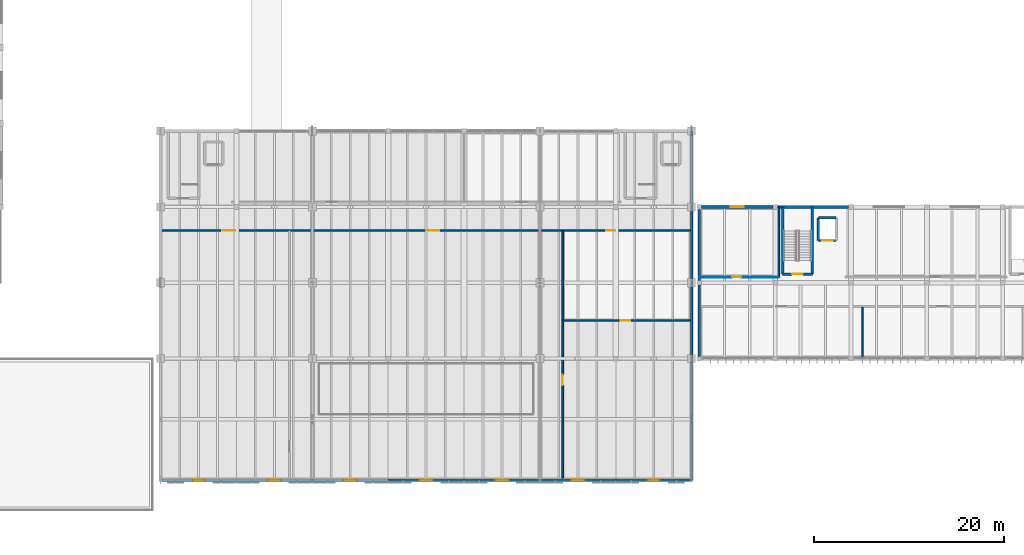
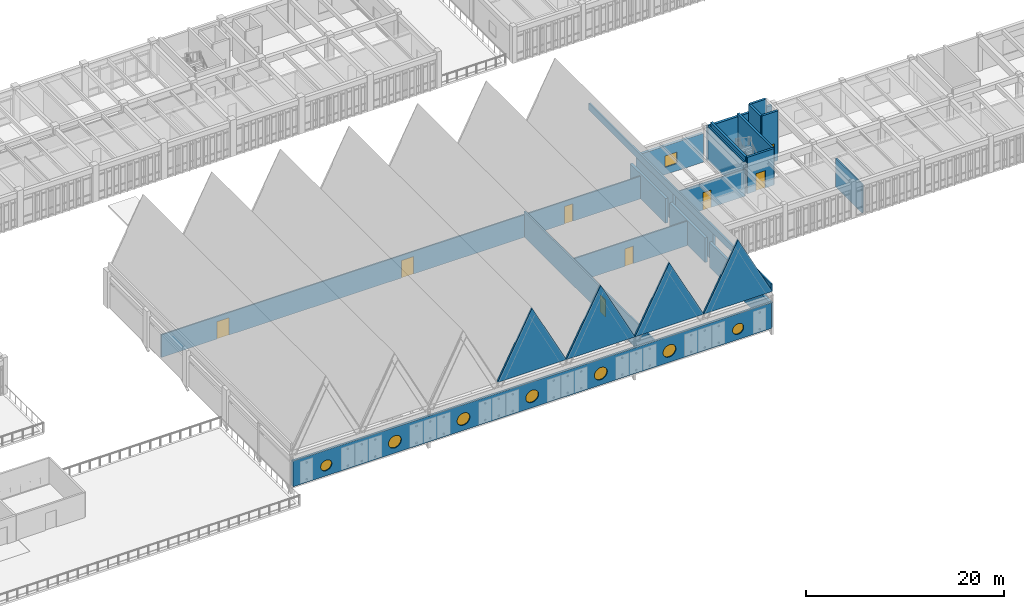
# One storey, part 50 of 72: 25 walls, 8 doors, 8 windows, 16 openings.
"""IFC4 building model written with IfcOpenShell, lengths in metres."""

from ifc_helpers import new_model, si_unit, direction, frame, frame_2d, origin, place, context, subcontext, project, spatial, polyline, rectangle, circle, outline, extrude, material, layer, layer_set, type_object, element, fill, save


model = new_model("IFC4")

# Units and contexts
model_context = context("Model", 3, precision=1e-05, world=origin(), true_north=direction((0.0, 1.0)))
body_context = subcontext(model_context, "Body", "Model", "MODEL_VIEW")
ifc_project = project(units=[si_unit("LENGTHUNIT", "METRE"), si_unit("AREAUNIT", "SQUARE_METRE"), si_unit("VOLUMEUNIT", "CUBIC_METRE"), si_unit("PLANEANGLEUNIT", "RADIAN"), si_unit("MASSUNIT", "GRAM", prefix="KILO")], contexts=[model_context])

# Site, building, storey
site_placement = place(None, origin())
site = spatial("IfcSite", under=ifc_project, at=site_placement, CompositionType="ELEMENT")
building_placement = place(site_placement, origin())
building = spatial("IfcBuilding", under=site, at=building_placement, Name="Tlaxcora Railside Police Headquarters", CompositionType="ELEMENT")
storey_placement = place(building_placement, frame((0.0, 0.0, 13.5)))
storey = spatial("IfcBuildingStorey", under=building, at=storey_placement, Name="L03", CompositionType="ELEMENT", Elevation=13.5)

# Wall, opening, door
ifc_material_1 = material(Name="Gypsum acoustic partition board")
ifc_layer_1 = layer(ifc_material_1, 0.175048828125, Name="Gypsum acoustic partition board")
ifc_layer_set_1 = layer_set([ifc_layer_1], Name="Gypsum acoustic partition board")
wall_type_1 = type_object("IfcWallType", Name="Interior Partition Wall IW-22", PredefinedType="PARTITIONING", material=ifc_layer_set_1)
wall_1_placement = place(storey_placement, frame((88.39990234375, 23.199951171875, 0.0), z_axis=(0.0, 0.0, 1.0), x_axis=(0.0, 1.0, 0.0)))
wall_1 = element("IfcWall", 1, at=wall_1_placement, inside=storey, type_object=wall_type_1, Name="V2 L03 interior partition 172", PredefinedType="PARTITIONING", context=body_context, shape_type="SweptSolid", body=[
    extrude(rectangle(XDim=26.300048828125, YDim=0.175048828125, at=frame_2d((13.14990234375, 0.0))), origin(), (0.0, 0.0, 1.0), 3.159912109375),
])
opening_1_placement = place(wall_1_placement, frame((10.0, 0.0, 0.0)))
opening_1 = element("IfcOpeningElement", 2, at=opening_1_placement, cuts=wall_1, Name="Opening D-L03-201", PredefinedType="OPENING", context=body_context, shape_type="SweptSolid", body=[
    extrude(rectangle(XDim=1.10009765625, YDim=2.10009765625, at=frame_2d((0.550048828125, 1.050048828125))), frame((0.0, 0.09765625, 0.0), z_axis=(0.0, -1.0, 0.0), x_axis=(1.0, 0.0, 0.0)), (0.0, 0.0, 1.0), 0.195068359375),
])
ifc_material_2 = material(Name="Steel ASTM A992 Grade 50", Category="steel")
door_type_1 = type_object("IfcDoorType", Name="Swing or Sliding Personnel Door ID-66", OperationType="NOTDEFINED", PredefinedType="DOOR", material=ifc_material_2)
door_1_placement = place(opening_1_placement, origin())
door_1 = element("IfcDoor", 3, at=door_1_placement, inside=storey, type_object=door_type_1, Name="V2 L03 door D-L03-201", OperationType="SINGLE_SWING_RIGHT", OverallHeight=2.10009765625, OverallWidth=1.10009765625, PredefinedType="DOOR", context=body_context, shape_type="SweptSolid", body=[
    extrude(rectangle(XDim=1.10009765625, YDim=2.10009765625, at=frame_2d((0.550048828125, 1.050048828125))), frame((0.0, 0.02490234375, 0.0), z_axis=(0.0, -1.0, 0.0), x_axis=(1.0, 0.0, 0.0)), (0.0, 0.0, 1.0), 0.050048828125),
])
fill(opening_1, door_1)

# Wall
ifc_layer_2 = layer(ifc_material_1, 0.16796875, Name="Gypsum acoustic partition board")
ifc_layer_set_2 = layer_set([ifc_layer_2], Name="Gypsum acoustic partition board")
wall_type_2 = type_object("IfcWallType", Name="Interior Partition Wall IW-31", PredefinedType="PARTITIONING", material=ifc_layer_set_2)
wall_2_placement = place(storey_placement, frame((111.199951171875, 44.60009765625, 0.0), z_axis=(0.0, 0.0, 1.0), x_axis=(0.0, 1.0, 0.0)))
element("IfcWall", 4, at=wall_2_placement, inside=storey, type_object=wall_type_2, Name="V7 L03 interior partition 181", PredefinedType="PARTITIONING", context=body_context, shape_type="SweptSolid", body=[
    extrude(rectangle(XDim=7.39990234375, YDim=0.16796875, at=frame_2d((3.699951171875, 0.0))), origin(), (0.0, 0.0, 1.0), 4.18994140625),
])

# Wall, opening, door
ifc_layer_3 = layer(ifc_material_1, 0.10009765625, Name="Gypsum acoustic partition board")
ifc_layer_set_3 = layer_set([ifc_layer_3], Name="Gypsum acoustic partition board")
wall_type_3 = type_object("IfcWallType", Name="Interior Partition Wall IW-45", PredefinedType="PARTITIONING", material=ifc_layer_set_3)
wall_3_placement = place(storey_placement, frame((102.800048828125, 44.60009765625, 0.0), z_axis=(0.0, 0.0, 1.0), x_axis=(1.0, 0.0, 0.0)))
wall_3 = element("IfcWall", 5, at=wall_3_placement, inside=storey, type_object=wall_type_3, Name="V7 L03 interior partition 180", PredefinedType="PARTITIONING", context=body_context, shape_type="SweptSolid", body=[
    extrude(rectangle(XDim=8.39990234375, YDim=0.10009765625, at=frame_2d((4.199951171875, 0.0))), origin(), (0.0, 0.0, 1.0), 3.324951171875),
])
opening_2_placement = place(wall_3_placement, frame((3.5, 0.0, 0.0)))
opening_2 = element("IfcOpeningElement", 6, at=opening_2_placement, cuts=wall_3, Name="Opening D-L03-211", PredefinedType="OPENING", context=body_context, shape_type="SweptSolid", body=[
    extrude(rectangle(XDim=0.949951171875, YDim=2.14990234375, at=frame_2d((0.47509765625, 1.074951171875))), frame((0.0, 0.06005859375, 0.0), z_axis=(0.0, -1.0, 0.0), x_axis=(1.0, 0.0, 0.0)), (0.0, 0.0, 1.0), 0.1201171875),
])
door_type_2 = type_object("IfcDoorType", Name="Swing or Sliding Personnel Door ID-31", OperationType="NOTDEFINED", PredefinedType="DOOR", material=ifc_material_2)
door_2_placement = place(opening_2_placement, origin())
door_2 = element("IfcDoor", 7, at=door_2_placement, inside=storey, type_object=door_type_2, Name="V7 L03 door D-L03-211", OperationType="SINGLE_SWING_RIGHT", OverallHeight=2.14990234375, OverallWidth=0.949951171875, PredefinedType="DOOR", context=body_context, shape_type="SweptSolid", body=[
    extrude(rectangle(XDim=0.949951171875, YDim=2.14990234375, at=frame_2d((0.47509765625, 1.074951171875))), frame((0.0, 0.02490234375, 0.0), z_axis=(0.0, -1.0, 0.0), x_axis=(1.0, 0.0, 0.0)), (0.0, 0.0, 1.0), 0.050048828125),
])
fill(opening_2, door_2)

ifc_layer_4 = layer(ifc_material_1, 0.159912109375, Name="Gypsum acoustic partition board")
ifc_layer_set_4 = layer_set([ifc_layer_4], Name="Gypsum acoustic partition board")
wall_type_4 = type_object("IfcWallType", Name="Interior Partition Wall IW-73", PredefinedType="PARTITIONING", material=ifc_layer_set_4)
wall_4_placement = place(storey_placement, frame((88.39990234375, 40.0, 0.0), z_axis=(0.0, 0.0, 1.0), x_axis=(1.0, 0.0, 0.0)))
wall_4 = element("IfcWall", 8, at=wall_4_placement, inside=storey, type_object=wall_type_4, Name="V2 L03 interior partition 173", PredefinedType="PARTITIONING", context=body_context, shape_type="SweptSolid", body=[
    extrude(rectangle(XDim=13.60009765625, YDim=0.159912109375, at=frame_2d((6.800048828125, 0.0))), origin(), (0.0, 0.0, 1.0), 3.02490234375),
])
opening_3_placement = place(wall_4_placement, frame((6.1201171875, 0.0, 0.0)))
opening_3 = element("IfcOpeningElement", 9, at=opening_3_placement, cuts=wall_4, Name="Opening D-L03-202", PredefinedType="OPENING", context=body_context, shape_type="SweptSolid", body=[
    extrude(rectangle(XDim=1.0, YDim=2.14990234375, at=frame_2d((0.5, 1.074951171875))), frame((0.0, 0.08984375, 0.0), z_axis=(0.0, -1.0, 0.0), x_axis=(1.0, 0.0, 0.0)), (0.0, 0.0, 1.0), 0.179931640625),
])
door_type_3 = type_object("IfcDoorType", Name="Swing or Sliding Personnel Door ID-55", OperationType="NOTDEFINED", PredefinedType="DOOR", material=ifc_material_2)
door_3_placement = place(opening_3_placement, origin())
door_3 = element("IfcDoor", 10, at=door_3_placement, inside=storey, type_object=door_type_3, Name="V2 L03 door D-L03-202", OperationType="SINGLE_SWING_LEFT", OverallHeight=2.14990234375, OverallWidth=1.0, PredefinedType="DOOR", context=body_context, shape_type="SweptSolid", body=[
    extrude(rectangle(XDim=1.0, YDim=2.14990234375, at=frame_2d((0.5, 1.074951171875))), frame((0.0, 0.02490234375, 0.0), z_axis=(0.0, -1.0, 0.0), x_axis=(1.0, 0.0, 0.0)), (0.0, 0.0, 1.0), 0.050048828125),
])
fill(opening_3, door_3)

# Wall, openings, doors
wall_5_placement = place(storey_placement, frame((46.0, 49.5, 0.0), z_axis=(0.0, 0.0, 1.0), x_axis=(1.0, 0.0, 0.0)))
wall_5 = element("IfcWall", 11, at=wall_5_placement, inside=storey, type_object=wall_type_4, Name="V2 L03 interior partition 174", PredefinedType="PARTITIONING", context=body_context, shape_type="SweptSolid", body=[
    extrude(rectangle(XDim=56.0, YDim=0.159912109375, at=frame_2d((28.0, 0.0))), origin(), (0.0, 0.0, 1.0), 2.784912109375),
])
opening_4_placement = place(wall_5_placement, frame((6.5, 0.0, 0.0)))
opening_4 = element("IfcOpeningElement", 12, at=opening_4_placement, cuts=wall_5, Name="Opening D-L03-203", PredefinedType="OPENING", context=body_context, shape_type="SweptSolid", body=[
    extrude(rectangle(XDim=1.39990234375, YDim=2.14990234375, at=frame_2d((0.699951171875, 1.074951171875))), frame((0.0, 0.08984375, 0.0), z_axis=(0.0, -1.0, 0.0), x_axis=(1.0, 0.0, 0.0)), (0.0, 0.0, 1.0), 0.179931640625),
])
opening_5_placement = place(wall_5_placement, frame((28.0, 0.0, 0.0)))
opening_5 = element("IfcOpeningElement", 13, at=opening_5_placement, cuts=wall_5, Name="Opening D-L03-204", PredefinedType="OPENING", context=body_context, shape_type="SweptSolid", body=[
    extrude(rectangle(XDim=1.39990234375, YDim=2.14990234375, at=frame_2d((0.699951171875, 1.074951171875))), frame((0.0, 0.08984375, 0.0), z_axis=(0.0, -1.0, 0.0), x_axis=(1.0, 0.0, 0.0)), (0.0, 0.0, 1.0), 0.179931640625),
])
opening_6_placement = place(wall_5_placement, frame((47.0, 0.0, 0.0)))
opening_6 = element("IfcOpeningElement", 14, at=opening_6_placement, cuts=wall_5, Name="Opening D-L03-205", PredefinedType="OPENING", context=body_context, shape_type="SweptSolid", body=[
    extrude(rectangle(XDim=0.949951171875, YDim=2.14990234375, at=frame_2d((0.47509765625, 1.074951171875))), frame((0.0, 0.08984375, 0.0), z_axis=(0.0, -1.0, 0.0), x_axis=(1.0, 0.0, 0.0)), (0.0, 0.0, 1.0), 0.179931640625),
])
door_4_placement = place(opening_6_placement, origin())
door_4 = element("IfcDoor", 15, at=door_4_placement, inside=storey, type_object=door_type_2, Name="V2 L03 door D-L03-205", OperationType="SINGLE_SWING_RIGHT", OverallHeight=2.14990234375, OverallWidth=0.949951171875, PredefinedType="DOOR", context=body_context, shape_type="SweptSolid", body=[
    extrude(rectangle(XDim=0.949951171875, YDim=2.14990234375, at=frame_2d((0.47509765625, 1.074951171875))), frame((0.0, 0.02490234375, 0.0), z_axis=(0.0, -1.0, 0.0), x_axis=(1.0, 0.0, 0.0)), (0.0, 0.0, 1.0), 0.050048828125),
])
fill(opening_6, door_4)
door_type_4 = type_object("IfcDoorType", Name="Swing or Sliding Personnel Door ID-97", OperationType="NOTDEFINED", PredefinedType="DOOR", material=ifc_material_2)
door_5_placement = place(opening_4_placement, origin())
door_5 = element("IfcDoor", 16, at=door_5_placement, inside=storey, type_object=door_type_4, Name="V2 L03 door D-L03-203", OperationType="DOUBLE_DOOR_SINGLE_SWING", OverallHeight=2.14990234375, OverallWidth=1.39990234375, PredefinedType="DOOR", context=body_context, shape_type="SweptSolid", body=[
    extrude(rectangle(XDim=1.39990234375, YDim=2.14990234375, at=frame_2d((0.699951171875, 1.074951171875))), frame((0.0, 0.02490234375, 0.0), z_axis=(0.0, -1.0, 0.0), x_axis=(1.0, 0.0, 0.0)), (0.0, 0.0, 1.0), 0.050048828125),
])
fill(opening_4, door_5)
door_6_placement = place(opening_5_placement, origin())
door_6 = element("IfcDoor", 17, at=door_6_placement, inside=storey, type_object=door_type_4, Name="V2 L03 door D-L03-204", OperationType="DOUBLE_DOOR_SINGLE_SWING", OverallHeight=2.14990234375, OverallWidth=1.39990234375, PredefinedType="DOOR", context=body_context, shape_type="SweptSolid", body=[
    extrude(rectangle(XDim=1.39990234375, YDim=2.14990234375, at=frame_2d((0.699951171875, 1.074951171875))), frame((0.0, 0.02490234375, 0.0), z_axis=(0.0, -1.0, 0.0), x_axis=(1.0, 0.0, 0.0)), (0.0, 0.0, 1.0), 0.050048828125),
])
fill(opening_5, door_6)

# Walls
wall_6_placement = place(storey_placement, frame((120.029052734375, 36.080078125, 0.0), z_axis=(0.0, 0.0, 1.0), x_axis=(0.0, 1.0, 0.0)))
element("IfcWall", 18, at=wall_6_placement, inside=storey, type_object=wall_type_4, Name="V7 L03 interior partition 177", PredefinedType="PARTITIONING", context=body_context, shape_type="SweptSolid", body=[
    extrude(rectangle(XDim=5.31982421875, YDim=0.159912109375, at=frame_2d((2.659912109375, 0.0))), origin(), (0.0, 0.0, 1.0), 3.52490234375),
])
ifc_material_3 = material(Name="Precast concrete C40/50", Category="concrete")
ifc_layer_5 = layer(ifc_material_3, 0.195068359375, Name="Precast concrete C40/50")
ifc_layer_set_5 = layer_set([ifc_layer_5], Name="Precast concrete C40/50")
wall_type_5 = type_object("IfcWallType", Name="Roof Parapet Wall EW-57", PredefinedType="PARAPET", material=ifc_layer_set_5)
wall_7_placement = place(storey_placement, frame((102.0, 23.199951171875, 4.5), z_axis=(0.0, 0.0, 1.0), x_axis=(0.0, 1.0, 0.0)))
element("IfcWall", 19, at=wall_7_placement, inside=storey, type_object=wall_type_5, Name="Roof parapet L03-02", PredefinedType="PARAPET", context=body_context, shape_type="SweptSolid", body=[
    extrude(rectangle(XDim=36.800048828125, YDim=0.195068359375, at=frame_2d((18.39990234375, 0.0))), origin(), (0.0, 0.0, 1.0), 0.85009765625),
])

# Wall, opening, door
ifc_material_4 = material(Name="Concrete C40/50", Category="concrete")
ifc_layer_6 = layer(ifc_material_4, 0.25, Name="Concrete C40/50")
ifc_layer_set_6 = layer_set([ifc_layer_6], Name="Concrete C40/50")
wall_type_6 = type_object("IfcWallType", Name="Shear Core Wall IW-13", PredefinedType="SHEAR", material=ifc_layer_set_6)
wall_8_placement = place(storey_placement, frame((111.60009765625, 44.89990234375, 0.0), z_axis=(0.0, 0.0, 1.0), x_axis=(1.0, 0.0, 0.0)))
wall_8 = element("IfcWall", 20, at=wall_8_placement, inside=storey, type_object=wall_type_6, Name="CORE-C7 L03 stair core wall S", PredefinedType="SHEAR", context=body_context, shape_type="SweptSolid", body=[
    extrude(rectangle(XDim=3.119873046875, YDim=0.25, at=frame_2d((1.56005859375, 0.0))), origin(), (0.0, 0.0, 1.0), 4.5),
])
opening_7_placement = place(wall_8_placement, frame((0.985107421875, 0.0, 0.0)))
opening_7 = element("IfcOpeningElement", 21, at=opening_7_placement, cuts=wall_8, Name="Opening SD-L03-050", PredefinedType="OPENING", context=body_context, shape_type="SweptSolid", body=[
    extrude(rectangle(XDim=1.14990234375, YDim=2.14990234375, at=frame_2d((0.574951171875, 1.074951171875))), frame((0.0, 0.135009765625, 0.0), z_axis=(0.0, -1.0, 0.0), x_axis=(1.0, 0.0, 0.0)), (0.0, 0.0, 1.0), 0.27001953125),
])
door_type_5 = type_object("IfcDoorType", Name="Swing or Sliding Personnel Door ID-73", OperationType="NOTDEFINED", PredefinedType="DOOR", material=ifc_material_2)
door_7_placement = place(opening_7_placement, origin())
door_7 = element("IfcDoor", 22, at=door_7_placement, inside=storey, type_object=door_type_5, Name="Stair ST5 L03 enclosure fire door", OperationType="SINGLE_SWING_RIGHT", OverallHeight=2.14990234375, OverallWidth=1.14990234375, PredefinedType="DOOR", context=body_context, shape_type="SweptSolid", body=[
    extrude(rectangle(XDim=1.14990234375, YDim=2.14990234375, at=frame_2d((0.574951171875, 1.074951171875))), frame((0.0, 0.02490234375, 0.0), z_axis=(0.0, -1.0, 0.0), x_axis=(1.0, 0.0, 0.0)), (0.0, 0.0, 1.0), 0.050048828125),
])
fill(opening_7, door_7)

# Walls
for number, where, z_axis, x_axis, name in (
    (23, (114.719970703125, 44.89990234375, 0.0), (0.0, 0.0, 1.0), (0.0, 1.0, 0.0), "CORE-C7 L03 stair core wall E"),
    (24, (111.60009765625, 52.0, 0.0), (0.0, 0.0, 1.0), (0.0, -1.0, 0.0), "CORE-C7 L03 stair core wall W"),
):
    element("IfcWall", number, at=place(storey_placement, frame(where, z_axis=z_axis, x_axis=x_axis)), inside=storey, type_object=wall_type_6, Name=name, PredefinedType="SHEAR", context=body_context, shape_type="SweptSolid", body=[
        extrude(rectangle(XDim=7.10009765625, YDim=0.25, at=frame_2d((3.550048828125, 0.0))), origin(), (0.0, 0.0, 1.0), 4.5),
    ])

# Wall, opening, door
wall_9_placement = place(storey_placement, frame((115.360107421875, 48.4599609375, 0.0), z_axis=(0.0, 0.0, 1.0), x_axis=(1.0, 0.0, 0.0)))
wall_9 = element("IfcWall", 25, at=wall_9_placement, inside=storey, type_object=wall_type_6, Name="Lift CL-01 L03 shaft wall S", PredefinedType="SHEAR", context=body_context, shape_type="SweptSolid", body=[
    extrude(rectangle(XDim=1.8798828125, YDim=0.25, at=frame_2d((0.93994140625, 0.0))), origin(), (0.0, 0.0, 1.0), 6.1201171875),
])
opening_8_placement = place(wall_9_placement, frame((0.389892578125, 0.0, 0.0)))
opening_8 = element("IfcOpeningElement", 26, at=opening_8_placement, cuts=wall_9, Name="Opening LD-CL-01-L03", PredefinedType="OPENING", context=body_context, shape_type="SweptSolid", body=[
    extrude(rectangle(XDim=1.10009765625, YDim=2.199951171875, at=frame_2d((0.550048828125, 1.10009765625))), frame((0.0, 0.135009765625, 0.0), z_axis=(0.0, -1.0, 0.0), x_axis=(1.0, 0.0, 0.0)), (0.0, 0.0, 1.0), 0.27001953125),
])
door_type_6 = type_object("IfcDoorType", Name="Swing or Sliding Personnel Door ID-15", OperationType="NOTDEFINED", PredefinedType="DOOR", material=ifc_material_2)
door_8_placement = place(opening_8_placement, origin())
door_8 = element("IfcDoor", 27, at=door_8_placement, inside=storey, type_object=door_type_6, Name="Lift CL-01 L03 sliding landing door", OperationType="DOUBLE_DOOR_SLIDING", OverallHeight=2.199951171875, OverallWidth=1.10009765625, PredefinedType="DOOR", context=body_context, shape_type="SweptSolid", body=[
    extrude(rectangle(XDim=1.10009765625, YDim=2.199951171875, at=frame_2d((0.550048828125, 1.10009765625))), frame((0.0, 0.02490234375, 0.0), z_axis=(0.0, -1.0, 0.0), x_axis=(1.0, 0.0, 0.0)), (0.0, 0.0, 1.0), 0.050048828125),
])
fill(opening_8, door_8)

# Walls
wall_10_placement = place(storey_placement, frame((117.239990234375, 50.840087890625, 0.0), z_axis=(0.0, 0.0, 1.0), x_axis=(-1.0, 0.0, 0.0)))
element("IfcWall", 28, at=wall_10_placement, inside=storey, type_object=wall_type_6, Name="Lift CL-01 L03 shaft wall N", PredefinedType="SHEAR", context=body_context, shape_type="SweptSolid", body=[
    extrude(rectangle(XDim=1.8798828125, YDim=0.25, at=frame_2d((0.93994140625, 0.0))), origin(), (0.0, 0.0, 1.0), 6.1201171875),
])
wall_11_placement = place(storey_placement, frame((115.360107421875, 50.840087890625, 0.0), z_axis=(0.0, 0.0, 1.0), x_axis=(0.0, -1.0, 0.0)))
element("IfcWall", 29, at=wall_11_placement, inside=storey, type_object=wall_type_6, Name="Lift CL-01 L03 shaft wall W", PredefinedType="SHEAR", context=body_context, shape_type="SweptSolid", body=[
    extrude(rectangle(XDim=2.380126953125, YDim=0.25, at=frame_2d((1.18994140625, 0.0))), origin(), (0.0, 0.0, 1.0), 6.1201171875),
])
ifc_layer_7 = layer(ifc_material_3, 0.215087890625, Name="Precast concrete C40/50")
ifc_layer_set_7 = layer_set([ifc_layer_7], Name="Precast concrete C40/50")
wall_type_7 = type_object("IfcWallType", Name="Structural Bearing Wall EW-34", PredefinedType="SOLIDWALL", material=ifc_layer_set_7)
for number, where, z_axis, x_axis, name in (
    (30, (70.0, 23.199951171875, 4.5), (0.0, 0.0, 1.0), (1.0, 0.0, 0.0), "Sawtooth gable end wall S-4"),
    (31, (78.0, 23.199951171875, 4.5), (0.0, 0.0, 1.0), (1.0, 0.0, 0.0), "Sawtooth gable end wall S-5"),
    (32, (86.0, 23.199951171875, 4.5), (0.0, 0.0, 1.0), (1.0, 0.0, 0.0), "Sawtooth gable end wall S-6"),
    (33, (94.0, 23.199951171875, 4.5), (0.0, 0.0, 1.0), (1.0, 0.0, 0.0), "Sawtooth gable end wall S-7"),
):
    element("IfcWall", number, at=place(storey_placement, frame(where, z_axis=z_axis, x_axis=x_axis)), inside=storey, type_object=wall_type_7, Name=name, PredefinedType="SOLIDWALL", context=body_context, shape_type="SweptSolid", body=[
        extrude(outline(polyline([(0.0, 0.0), (8.0, 0.0), (8.0, 0.050048828125), (4.0, 7.75), (0.0, 0.050048828125), (0.0, 0.0)])), frame((0.0, 0.107421875, 0.0), z_axis=(0.0, -1.0, 0.0), x_axis=(1.0, 0.0, 0.0)), (0.0, 0.0, 1.0), 0.215087890625),
    ])
ifc_material_5 = material(Name="Pressed clay brick masonry", Category="masonry")
ifc_layer_8 = layer(ifc_material_5, 0.294921875, Name="Pressed clay brick masonry")
ifc_layer_set_8 = layer_set([ifc_layer_8], Name="Pressed clay brick masonry")
wall_type_8 = type_object("IfcWallType", Name="Structural Bearing Wall EW-74", PredefinedType="SOLIDWALL", material=ifc_layer_set_8)
wall_12_placement = place(storey_placement, frame((102.0, 23.199951171875, 0.0), z_axis=(0.0, 0.0, 1.0), x_axis=(0.0, 1.0, 0.0)))
element("IfcWall", 34, at=wall_12_placement, inside=storey, type_object=wall_type_8, Name="V2 L03 exterior wall 1.0", PredefinedType="SOLIDWALL", context=body_context, shape_type="SweptSolid", body=[
    extrude(rectangle(XDim=12.375, YDim=0.294921875, at=frame_2d((6.1875, 0.0))), origin(), (0.0, 0.0, 1.0), 3.0400390625),
])
for number, where, z_axis, x_axis, name in (
    (35, (102.0, 36.425048828125, 0.0), (0.0, 0.0, 1.0), (0.0, 1.0, 0.0), "V2 L03 exterior wall 1.1"),
    (36, (102.0, 44.425048828125, 0.0), (0.0, 0.0, 1.0), (0.0, 1.0, 0.0), "V2 L03 exterior wall 1.2"),
):
    element("IfcWall", number, at=place(storey_placement, frame(where, z_axis=z_axis, x_axis=x_axis)), inside=storey, type_object=wall_type_8, Name=name, PredefinedType="SOLIDWALL", context=body_context, shape_type="SweptSolid", body=[
        extrude(rectangle(XDim=7.14990234375, YDim=0.294921875, at=frame_2d((3.574951171875, 0.0))), origin(), (0.0, 0.0, 1.0), 3.0400390625),
    ])
wall_13_placement = place(storey_placement, frame((118.550048828125, 52.0, 0.0), z_axis=(0.0, 0.0, 1.0), x_axis=(-1.0, 0.0, 0.0)))
element("IfcWall", 37, at=wall_13_placement, inside=storey, type_object=wall_type_8, Name="V7 L03 exterior wall 2.4", PredefinedType="SOLIDWALL", context=body_context, shape_type="SweptSolid", body=[
    extrude(rectangle(XDim=7.5, YDim=0.294921875, at=frame_2d((3.75, 0.0))), origin(), (0.0, 0.0, 1.0), 4.18994140625),
])

# Wall, opening, window
wall_14_placement = place(storey_placement, frame((110.550048828125, 52.0, 0.0), z_axis=(0.0, 0.0, 1.0), x_axis=(-1.0, 0.0, 0.0)))
wall_14 = element("IfcWall", 38, at=wall_14_placement, inside=storey, type_object=wall_type_8, Name="V7 L03 exterior wall 2.5", PredefinedType="SOLIDWALL", context=body_context, shape_type="SweptSolid", body=[
    extrude(rectangle(XDim=7.5, YDim=0.294921875, at=frame_2d((3.75, 0.0))), origin(), (0.0, 0.0, 1.0), 3.5400390625),
])
opening_9_placement = place(wall_14_placement, frame((3.050048828125, 0.0, 0.89990234375)))
opening_9 = element("IfcOpeningElement", 39, at=opening_9_placement, cuts=wall_14, Name="Opening WN-22", PredefinedType="OPENING", context=body_context, shape_type="SweptSolid", body=[
    extrude(rectangle(XDim=1.39990234375, YDim=1.39990234375, at=frame_2d((0.699951171875, 0.699951171875))), frame((0.0, 0.157470703125, 0.0), z_axis=(0.0, -1.0, 0.0), x_axis=(1.0, 0.0, 0.0)), (0.0, 0.0, 1.0), 0.31494140625),
])
ifc_material_6 = material(Name="Thermally broken low-E insulated glazing", Category="glass")
window_type_1 = type_object("IfcWindowType", Name="Exterior Framed or Circular Window WN-22", PartitioningType="SINGLE_PANEL", PredefinedType="WINDOW", material=ifc_material_6)
window_1_placement = place(opening_9_placement, origin())
window_1 = element("IfcWindow", 40, at=window_1_placement, inside=storey, type_object=window_type_1, Name="V7 L03 window 217", OverallHeight=1.39990234375, OverallWidth=1.39990234375, PartitioningType="SINGLE_PANEL", PredefinedType="WINDOW", context=body_context, shape_type="SweptSolid", body=[
    extrude(rectangle(XDim=1.39990234375, YDim=1.39990234375, at=frame_2d((0.699951171875, 0.699951171875))), frame((0.0, 0.030029296875, 0.0), z_axis=(0.0, -1.0, 0.0), x_axis=(1.0, 0.0, 0.0)), (0.0, 0.0, 1.0), 0.06005859375),
])
fill(opening_9, window_1)

# Walls
for number, where, z_axis, x_axis, name in (
    (41, (102.800048828125, 51.75, 0.0), (0.0, 0.0, 1.0), (0.0, -1.0, 0.0), "V7 L03 exterior wall 3.0"),
    (42, (102.800048828125, 43.75, 0.0), (0.0, 0.0, 1.0), (0.0, -1.0, 0.0), "V7 L03 exterior wall 3.1"),
):
    element("IfcWall", number, at=place(storey_placement, frame(where, z_axis=z_axis, x_axis=x_axis)), inside=storey, type_object=wall_type_8, Name=name, PredefinedType="SOLIDWALL", context=body_context, shape_type="SweptSolid", body=[
        extrude(rectangle(XDim=7.5, YDim=0.294921875, at=frame_2d((3.75, 0.0))), origin(), (0.0, 0.0, 1.0), 3.5400390625),
    ])

# Wall, openings, windows
ifc_layer_9 = layer(ifc_material_3, 0.264892578125, Name="Precast concrete C40/50")
ifc_layer_set_9 = layer_set([ifc_layer_9], Name="Precast concrete C40/50")
wall_type_9 = type_object("IfcWallType", Name="Structural Bearing Wall EW-76", PredefinedType="SOLIDWALL", material=ifc_layer_set_9)
wall_15_placement = place(storey_placement, frame((46.1298828125, 23.199951171875, 0.0), z_axis=(0.0, 0.0, 1.0), x_axis=(1.0, 0.0, 0.0)))
wall_15 = element("IfcWall", 43, at=wall_15_placement, inside=storey, type_object=wall_type_9, Name="V2 L03 exterior wall 0.0", PredefinedType="SOLIDWALL", context=body_context, shape_type="SweptSolid", body=[
    extrude(rectangle(XDim=55.740234375, YDim=0.264892578125, at=frame_2d((27.8701171875, 0.0))), origin(), (0.0, 0.0, 1.0), 3.175048828125),
])
opening_10_placement = place(wall_15_placement, frame((3.219970703125, 0.0, 0.64990234375)))
opening_10 = element("IfcOpeningElement", 44, at=opening_10_placement, cuts=wall_15, Name="Opening WN-67", PredefinedType="OPENING", context=body_context, shape_type="SweptSolid", body=[
    extrude(circle(Radius=0.64990234375, at=frame_2d((0.64990234375, 0.64990234375))), frame((0.0, 0.142578125, 0.0), z_axis=(0.0, -1.0, 0.0), x_axis=(1.0, 0.0, 0.0)), (0.0, 0.0, 1.0), 0.284912109375),
])
opening_11_placement = place(wall_15_placement, frame((11.1201171875, 0.0, 0.64990234375)))
opening_11 = element("IfcOpeningElement", 45, at=opening_11_placement, cuts=wall_15, Name="Opening WN-16", PredefinedType="OPENING", context=body_context, shape_type="SweptSolid", body=[
    extrude(circle(Radius=0.75, at=frame_2d((0.75, 0.75))), frame((0.0, 0.142578125, 0.0), z_axis=(0.0, -1.0, 0.0), x_axis=(1.0, 0.0, 0.0)), (0.0, 0.0, 1.0), 0.284912109375),
])
opening_12_placement = place(wall_15_placement, frame((19.1201171875, 0.0, 0.64990234375)))
opening_12 = element("IfcOpeningElement", 46, at=opening_12_placement, cuts=wall_15, Name="Opening WN-16", PredefinedType="OPENING", context=body_context, shape_type="SweptSolid", body=[
    extrude(circle(Radius=0.75, at=frame_2d((0.75, 0.75))), frame((0.0, 0.142578125, 0.0), z_axis=(0.0, -1.0, 0.0), x_axis=(1.0, 0.0, 0.0)), (0.0, 0.0, 1.0), 0.284912109375),
])
opening_13_placement = place(wall_15_placement, frame((27.1201171875, 0.0, 0.64990234375)))
opening_13 = element("IfcOpeningElement", 47, at=opening_13_placement, cuts=wall_15, Name="Opening WN-16", PredefinedType="OPENING", context=body_context, shape_type="SweptSolid", body=[
    extrude(circle(Radius=0.75, at=frame_2d((0.75, 0.75))), frame((0.0, 0.142578125, 0.0), z_axis=(0.0, -1.0, 0.0), x_axis=(1.0, 0.0, 0.0)), (0.0, 0.0, 1.0), 0.284912109375),
])
opening_14_placement = place(wall_15_placement, frame((35.1201171875, 0.0, 0.64990234375)))
opening_14 = element("IfcOpeningElement", 48, at=opening_14_placement, cuts=wall_15, Name="Opening WN-16", PredefinedType="OPENING", context=body_context, shape_type="SweptSolid", body=[
    extrude(circle(Radius=0.75, at=frame_2d((0.75, 0.75))), frame((0.0, 0.142578125, 0.0), z_axis=(0.0, -1.0, 0.0), x_axis=(1.0, 0.0, 0.0)), (0.0, 0.0, 1.0), 0.284912109375),
])
opening_15_placement = place(wall_15_placement, frame((43.1201171875, 0.0, 0.64990234375)))
opening_15 = element("IfcOpeningElement", 49, at=opening_15_placement, cuts=wall_15, Name="Opening WN-16", PredefinedType="OPENING", context=body_context, shape_type="SweptSolid", body=[
    extrude(circle(Radius=0.75, at=frame_2d((0.75, 0.75))), frame((0.0, 0.142578125, 0.0), z_axis=(0.0, -1.0, 0.0), x_axis=(1.0, 0.0, 0.0)), (0.0, 0.0, 1.0), 0.284912109375),
])
opening_16_placement = place(wall_15_placement, frame((51.219970703125, 0.0, 0.64990234375)))
opening_16 = element("IfcOpeningElement", 50, at=opening_16_placement, cuts=wall_15, Name="Opening WN-67", PredefinedType="OPENING", context=body_context, shape_type="SweptSolid", body=[
    extrude(circle(Radius=0.64990234375, at=frame_2d((0.64990234375, 0.64990234375))), frame((0.0, 0.142578125, 0.0), z_axis=(0.0, -1.0, 0.0), x_axis=(1.0, 0.0, 0.0)), (0.0, 0.0, 1.0), 0.284912109375),
])
window_type_2 = type_object("IfcWindowType", Name="Circular Oculus Window WN-16", PartitioningType="SINGLE_PANEL", PredefinedType="WINDOW", material=ifc_material_6)
window_2_placement = place(opening_11_placement, origin())
window_2 = element("IfcWindow", 51, at=window_2_placement, inside=storey, type_object=window_type_2, Name="Command Hall circular oculus window L03-2", OverallHeight=1.5, OverallWidth=1.5, PartitioningType="SINGLE_PANEL", PredefinedType="WINDOW", context=body_context, shape_type="SweptSolid", body=[
    extrude(circle(Radius=0.75, at=frame_2d((0.75, 0.75))), frame((0.0, 0.030029296875, 0.0), z_axis=(0.0, -1.0, 0.0), x_axis=(1.0, 0.0, 0.0)), (0.0, 0.0, 1.0), 0.06005859375),
])
fill(opening_11, window_2)
window_3_placement = place(opening_12_placement, origin())
window_3 = element("IfcWindow", 52, at=window_3_placement, inside=storey, type_object=window_type_2, Name="Command Hall circular oculus window L03-3", OverallHeight=1.5, OverallWidth=1.5, PartitioningType="SINGLE_PANEL", PredefinedType="WINDOW", context=body_context, shape_type="SweptSolid", body=[
    extrude(circle(Radius=0.75, at=frame_2d((0.75, 0.75))), frame((0.0, 0.030029296875, 0.0), z_axis=(0.0, -1.0, 0.0), x_axis=(1.0, 0.0, 0.0)), (0.0, 0.0, 1.0), 0.06005859375),
])
fill(opening_12, window_3)
window_4_placement = place(opening_13_placement, origin())
window_4 = element("IfcWindow", 53, at=window_4_placement, inside=storey, type_object=window_type_2, Name="Command Hall circular oculus window L03-4", OverallHeight=1.5, OverallWidth=1.5, PartitioningType="SINGLE_PANEL", PredefinedType="WINDOW", context=body_context, shape_type="SweptSolid", body=[
    extrude(circle(Radius=0.75, at=frame_2d((0.75, 0.75))), frame((0.0, 0.030029296875, 0.0), z_axis=(0.0, -1.0, 0.0), x_axis=(1.0, 0.0, 0.0)), (0.0, 0.0, 1.0), 0.06005859375),
])
fill(opening_13, window_4)
window_5_placement = place(opening_14_placement, origin())
window_5 = element("IfcWindow", 54, at=window_5_placement, inside=storey, type_object=window_type_2, Name="Command Hall circular oculus window L03-5", OverallHeight=1.5, OverallWidth=1.5, PartitioningType="SINGLE_PANEL", PredefinedType="WINDOW", context=body_context, shape_type="SweptSolid", body=[
    extrude(circle(Radius=0.75, at=frame_2d((0.75, 0.75))), frame((0.0, 0.030029296875, 0.0), z_axis=(0.0, -1.0, 0.0), x_axis=(1.0, 0.0, 0.0)), (0.0, 0.0, 1.0), 0.06005859375),
])
fill(opening_14, window_5)
window_6_placement = place(opening_15_placement, origin())
window_6 = element("IfcWindow", 55, at=window_6_placement, inside=storey, type_object=window_type_2, Name="Command Hall circular oculus window L03-6", OverallHeight=1.5, OverallWidth=1.5, PartitioningType="SINGLE_PANEL", PredefinedType="WINDOW", context=body_context, shape_type="SweptSolid", body=[
    extrude(circle(Radius=0.75, at=frame_2d((0.75, 0.75))), frame((0.0, 0.030029296875, 0.0), z_axis=(0.0, -1.0, 0.0), x_axis=(1.0, 0.0, 0.0)), (0.0, 0.0, 1.0), 0.06005859375),
])
fill(opening_15, window_6)
window_type_3 = type_object("IfcWindowType", Name="Circular Oculus Window WN-67", PartitioningType="SINGLE_PANEL", PredefinedType="WINDOW", material=ifc_material_6)
window_7_placement = place(opening_10_placement, origin())
window_7 = element("IfcWindow", 56, at=window_7_placement, inside=storey, type_object=window_type_3, Name="Command Hall circular oculus window L03-1", OverallHeight=1.300048828125, OverallWidth=1.300048828125, PartitioningType="SINGLE_PANEL", PredefinedType="WINDOW", context=body_context, shape_type="SweptSolid", body=[
    extrude(circle(Radius=0.64990234375, at=frame_2d((0.64990234375, 0.64990234375))), frame((0.0, 0.030029296875, 0.0), z_axis=(0.0, -1.0, 0.0), x_axis=(1.0, 0.0, 0.0)), (0.0, 0.0, 1.0), 0.06005859375),
])
fill(opening_10, window_7)
window_8_placement = place(opening_16_placement, origin())
window_8 = element("IfcWindow", 57, at=window_8_placement, inside=storey, type_object=window_type_3, Name="Command Hall circular oculus window L03-7", OverallHeight=1.300048828125, OverallWidth=1.300048828125, PartitioningType="SINGLE_PANEL", PredefinedType="WINDOW", context=body_context, shape_type="SweptSolid", body=[
    extrude(circle(Radius=0.64990234375, at=frame_2d((0.64990234375, 0.64990234375))), frame((0.0, 0.030029296875, 0.0), z_axis=(0.0, -1.0, 0.0), x_axis=(1.0, 0.0, 0.0)), (0.0, 0.0, 1.0), 0.06005859375),
])
fill(opening_16, window_8)

save(model, "model.ifc")
